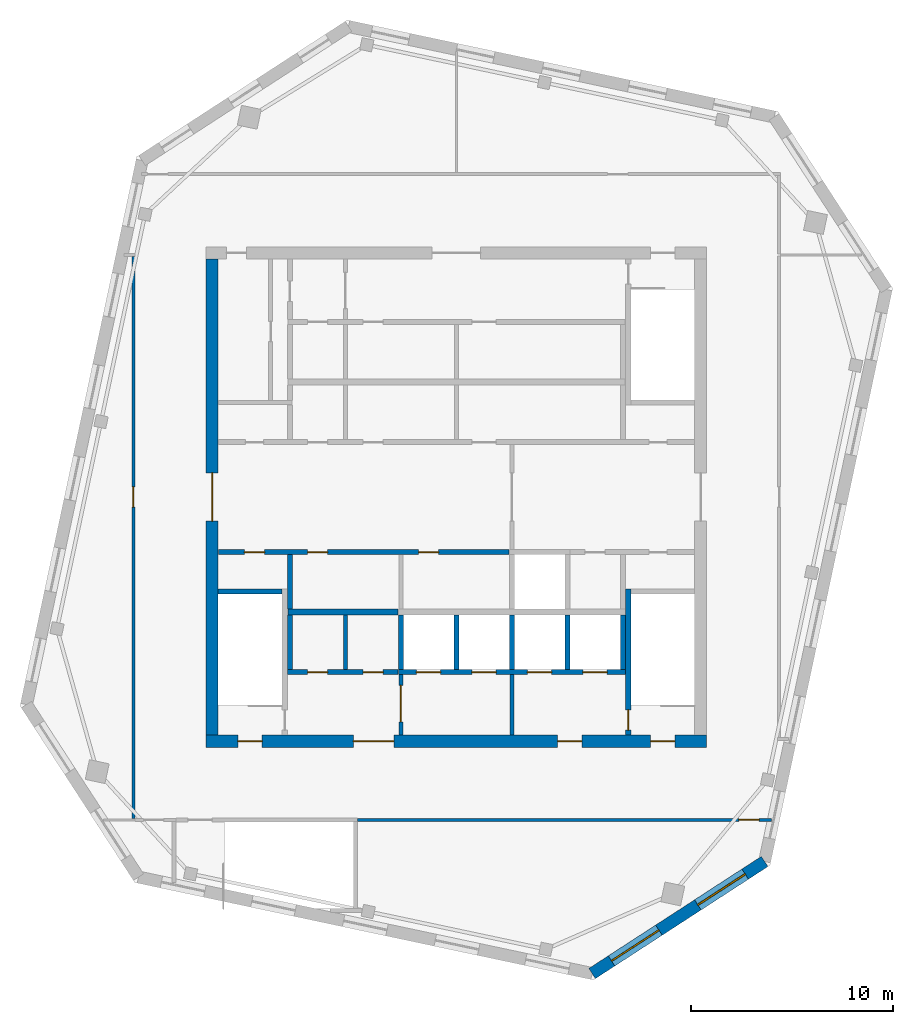
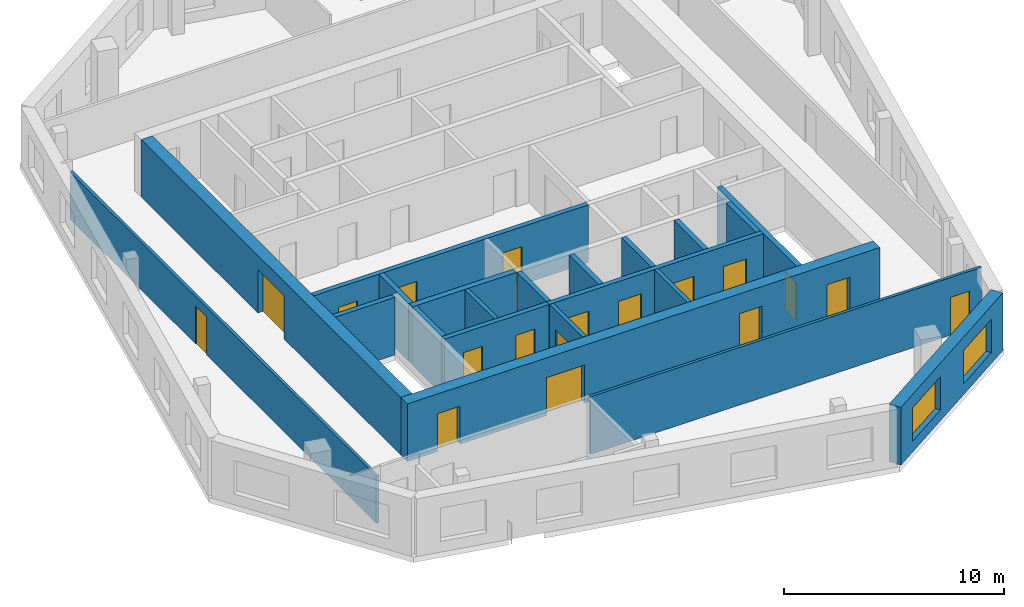
# One storey, part 2 of 6: 21 walls, 18 doors, 2 windows, 20 openings.
"""IFC4 building model written with IfcOpenShell, lengths in metres."""

from ifc_helpers import new_model, si_unit, direction, frame, frame_2d, origin, place, context, subcontext, project, spatial, rectangle, extrude, material, layer, layer_set, type_object, element, fill, save


model = new_model("IFC4")

# Units and contexts
model_context = context("Model", 3, precision=1e-05, world=origin(), true_north=direction((0.0, 1.0)))
body_context = subcontext(model_context, "Body", "Model", "MODEL_VIEW")
ifc_project = project(units=[si_unit("LENGTHUNIT", "METRE"), si_unit("AREAUNIT", "SQUARE_METRE"), si_unit("VOLUMEUNIT", "CUBIC_METRE"), si_unit("PLANEANGLEUNIT", "RADIAN"), si_unit("MASSUNIT", "GRAM", prefix="KILO")], contexts=[model_context])

# Site, building, storey
site_placement = place(None, origin())
site = spatial("IfcSite", under=ifc_project, at=site_placement, CompositionType="ELEMENT")
building_placement = place(site_placement, origin())
building = spatial("IfcBuilding", under=site, at=building_placement, Name="Dilmun Exchange Tower", CompositionType="ELEMENT")
storey_placement = place(building_placement, frame((0.0, 0.0, 373.10009765625)))
storey = spatial("IfcBuildingStorey", under=building, at=storey_placement, Name="Crown L87", CompositionType="ELEMENT", Elevation=373.10009765625)

# Wall, opening, door
ifc_material_1 = material(Name="Concrete C40/50", Category="concrete")
ifc_layer_1 = layer(ifc_material_1, 0.199951171875)
ifc_layer_set_1 = layer_set([ifc_layer_1], Name="Concrete C40/50")
wall_type_1 = type_object("IfcWallType", Name="Core partition wall 200", PredefinedType="PARTITIONING", material=ifc_layer_set_1)
wall_1_placement = place(storey_placement, frame((-2.75, -11.794921875, 0.0), z_axis=(0.0, 0.0, 1.0), x_axis=(0.0, 1.0, 0.0)))
wall_1 = element("IfcWall", 1, at=wall_1_placement, inside=storey, type_object=wall_type_1, Name="Crown L87 core partition wall 01", PredefinedType="PARTITIONING", context=body_context, shape_type="SweptSolid", body=[
    extrude(rectangle(XDim=2.989990234375, YDim=0.199951171875, at=frame_2d((1.4951171875, 0.0))), origin(), (0.0, 0.0, 1.0), 3.199951171875),
])
opening_1_placement = place(wall_1_placement, frame((0.657470703125, 0.0, 0.0)))
opening_1 = element("IfcOpeningElement", 2, at=opening_1_placement, cuts=wall_1, Name="Opening CD5", PredefinedType="OPENING", context=body_context, shape_type="SweptSolid", body=[
    extrude(rectangle(XDim=1.800048828125, YDim=2.10009765625, at=frame_2d((0.89990234375, 1.050048828125))), frame((0.0, 0.10986328125, 0.0), z_axis=(0.0, -1.0, 0.0), x_axis=(1.0, 0.0, 0.0)), (0.0, 0.0, 1.0), 0.219970703125),
])
ifc_material_2 = material(Name="Fire-rated steel door set", Category="steel")
door_type_1 = type_object("IfcDoorType", Name="Stair exit door 1800x2100", OperationType="SINGLE_SWING_LEFT", PredefinedType="DOOR", material=ifc_material_2)
door_1_placement = place(opening_1_placement, origin())
door_1 = element("IfcDoor", 3, at=door_1_placement, inside=storey, type_object=door_type_1, Name="Crown L87 door Service lobby east", OperationType="SINGLE_SWING_LEFT", OverallHeight=2.10009765625, OverallWidth=1.800048828125, PredefinedType="DOOR", context=body_context, shape_type="SweptSolid", body=[
    extrude(rectangle(XDim=1.800048828125, YDim=2.10009765625, at=frame_2d((0.89990234375, 1.050048828125))), frame((0.0, 0.02490234375, 0.0), z_axis=(0.0, -1.0, 0.0), x_axis=(1.0, 0.0, 0.0)), (0.0, 0.0, 1.0), 0.050048828125),
])
fill(opening_1, door_1)

# Walls
wall_2_placement = place(storey_placement, frame((2.75, -11.794921875, 0.0), z_axis=(0.0, 0.0, 1.0), x_axis=(0.0, 1.0, 0.0)))
element("IfcWall", 4, at=wall_2_placement, inside=storey, type_object=wall_type_1, Name="Crown L87 core partition wall 02", PredefinedType="PARTITIONING", context=body_context, shape_type="SweptSolid", body=[
    extrude(rectangle(XDim=2.989990234375, YDim=0.199951171875, at=frame_2d((1.4951171875, 0.0))), origin(), (0.0, 0.0, 1.0), 3.199951171875),
])
wall_3_placement = place(storey_placement, frame((-5.5, -8.544921875, 0.0), z_axis=(0.0, 0.0, 1.0), x_axis=(0.0, 1.0, 0.0)))
element("IfcWall", 5, at=wall_3_placement, inside=storey, type_object=wall_type_1, Name="Crown L87 core partition wall 05", PredefinedType="PARTITIONING", context=body_context, shape_type="SweptSolid", body=[
    extrude(rectangle(XDim=2.68994140625, YDim=0.199951171875, at=frame_2d((1.344970703125, 0.0))), origin(), (0.0, 0.0, 1.0), 3.199951171875),
])

# Wall, openings, doors
ifc_layer_2 = layer(ifc_material_1, 0.25)
ifc_layer_set_2 = layer_set([ifc_layer_2], Name="Concrete C40/50")
wall_type_2 = type_object("IfcWallType", Name="Core partition wall 250", PredefinedType="PARTITIONING", material=ifc_layer_set_2)
wall_4_placement = place(storey_placement, frame((-8.3701171875, -8.675048828125, 0.0), z_axis=(0.0, 0.0, 1.0), x_axis=(1.0, 0.0, 0.0)))
wall_4 = element("IfcWall", 6, at=wall_4_placement, inside=storey, type_object=wall_type_2, Name="Crown L87 core partition wall 03", PredefinedType="PARTITIONING", context=body_context, shape_type="SweptSolid", body=[
    extrude(rectangle(XDim=5.490234375, YDim=0.25, at=frame_2d((2.7451171875, 0.0))), origin(), (0.0, 0.0, 1.0), 3.199951171875),
])
opening_2_placement = place(wall_4_placement, frame((0.9951171875, 0.0, 0.0)))
opening_2 = element("IfcOpeningElement", 7, at=opening_2_placement, cuts=wall_4, Name="Opening CD4", PredefinedType="OPENING", context=body_context, shape_type="SweptSolid", body=[
    extrude(rectangle(XDim=1.0, YDim=2.10009765625, at=frame_2d((0.5, 1.050048828125))), frame((0.0, 0.135009765625, 0.0), z_axis=(0.0, -1.0, 0.0), x_axis=(1.0, 0.0, 0.0)), (0.0, 0.0, 1.0), 0.27001953125),
])
opening_3_placement = place(wall_4_placement, frame((3.7451171875, 0.0, 0.0)))
opening_3 = element("IfcOpeningElement", 8, at=opening_3_placement, cuts=wall_4, Name="Opening CD4", PredefinedType="OPENING", context=body_context, shape_type="SweptSolid", body=[
    extrude(rectangle(XDim=1.0, YDim=2.10009765625, at=frame_2d((0.5, 1.050048828125))), frame((0.0, 0.135009765625, 0.0), z_axis=(0.0, -1.0, 0.0), x_axis=(1.0, 0.0, 0.0)), (0.0, 0.0, 1.0), 0.27001953125),
])
door_type_2 = type_object("IfcDoorType", Name="Core room door 1000x2100", OperationType="SINGLE_SWING_LEFT", PredefinedType="DOOR", material=ifc_material_2)
door_2_placement = place(opening_2_placement, origin())
door_2 = element("IfcDoor", 9, at=door_2_placement, inside=storey, type_object=door_type_2, Name="Crown L87 door Male WC", OperationType="SINGLE_SWING_RIGHT", OverallHeight=2.10009765625, OverallWidth=1.0, PredefinedType="DOOR", context=body_context, shape_type="SweptSolid", body=[
    extrude(rectangle(XDim=1.0, YDim=2.10009765625, at=frame_2d((0.5, 1.050048828125))), frame((0.0, 0.02490234375, 0.0), z_axis=(0.0, -1.0, 0.0), x_axis=(1.0, 0.0, 0.0)), (0.0, 0.0, 1.0), 0.050048828125),
])
fill(opening_2, door_2)
door_3_placement = place(opening_3_placement, origin())
door_3 = element("IfcDoor", 10, at=door_3_placement, inside=storey, type_object=door_type_2, Name="Crown L87 door Female WC", OperationType="SINGLE_SWING_RIGHT", OverallHeight=2.10009765625, OverallWidth=1.0, PredefinedType="DOOR", context=body_context, shape_type="SweptSolid", body=[
    extrude(rectangle(XDim=1.0, YDim=2.10009765625, at=frame_2d((0.5, 1.050048828125))), frame((0.0, 0.02490234375, 0.0), z_axis=(0.0, -1.0, 0.0), x_axis=(1.0, 0.0, 0.0)), (0.0, 0.0, 1.0), 0.050048828125),
])
fill(opening_3, door_3)

# Walls
for number, where, z_axis, x_axis, name in (
    (11, (-8.25, -8.544921875, 0.0), (0.0, 0.0, 1.0), (0.0, 1.0, 0.0), "Crown L87 core partition wall 04"),
    (12, (-8.25, -5.544921875, 0.0), (0.0, 0.0, 1.0), (0.0, 1.0, 0.0), "Crown L87 core partition wall 07"),
):
    element("IfcWall", number, at=place(storey_placement, frame(where, z_axis=z_axis, x_axis=x_axis)), inside=storey, type_object=wall_type_2, Name=name, PredefinedType="PARTITIONING", context=body_context, shape_type="SweptSolid", body=[
        extrude(rectangle(XDim=2.68994140625, YDim=0.25, at=frame_2d((1.344970703125, 0.0))), origin(), (0.0, 0.0, 1.0), 3.199951171875),
    ])

# Wall, openings, doors
wall_5_placement = place(storey_placement, frame((-11.794921875, -2.72509765625, 0.0), z_axis=(0.0, 0.0, 1.0), x_axis=(1.0, 0.0, 0.0)))
wall_5 = element("IfcWall", 13, at=wall_5_placement, inside=storey, type_object=wall_type_2, Name="Crown L87 core partition wall 10", PredefinedType="PARTITIONING", context=body_context, shape_type="SweptSolid", body=[
    extrude(rectangle(XDim=14.4150390625, YDim=0.25, at=frame_2d((7.20751953125, 0.0))), origin(), (0.0, 0.0, 1.0), 3.199951171875),
])
opening_4_placement = place(wall_5_placement, frame((1.294921875, 0.0, 0.0)))
opening_4 = element("IfcOpeningElement", 14, at=opening_4_placement, cuts=wall_5, Name="Opening CD4", PredefinedType="OPENING", context=body_context, shape_type="SweptSolid", body=[
    extrude(rectangle(XDim=1.0, YDim=2.10009765625, at=frame_2d((0.5, 1.050048828125))), frame((0.0, 0.135009765625, 0.0), z_axis=(0.0, -1.0, 0.0), x_axis=(1.0, 0.0, 0.0)), (0.0, 0.0, 1.0), 0.27001953125),
])
opening_5_placement = place(wall_5_placement, frame((4.419921875, 0.0, 0.0)))
opening_5 = element("IfcOpeningElement", 15, at=opening_5_placement, cuts=wall_5, Name="Opening CD4", PredefinedType="OPENING", context=body_context, shape_type="SweptSolid", body=[
    extrude(rectangle(XDim=1.0, YDim=2.10009765625, at=frame_2d((0.5, 1.050048828125))), frame((0.0, 0.135009765625, 0.0), z_axis=(0.0, -1.0, 0.0), x_axis=(1.0, 0.0, 0.0)), (0.0, 0.0, 1.0), 0.27001953125),
])
opening_6_placement = place(wall_5_placement, frame((9.919921875, 0.0, 0.0)))
opening_6 = element("IfcOpeningElement", 16, at=opening_6_placement, cuts=wall_5, Name="Opening CD4", PredefinedType="OPENING", context=body_context, shape_type="SweptSolid", body=[
    extrude(rectangle(XDim=1.0, YDim=2.10009765625, at=frame_2d((0.5, 1.050048828125))), frame((0.0, 0.135009765625, 0.0), z_axis=(0.0, -1.0, 0.0), x_axis=(1.0, 0.0, 0.0)), (0.0, 0.0, 1.0), 0.27001953125),
])
door_4_placement = place(opening_4_placement, origin())
door_4 = element("IfcDoor", 17, at=door_4_placement, inside=storey, type_object=door_type_2, Name="Crown L87 door Accessible WC", OperationType="SINGLE_SWING_RIGHT", OverallHeight=2.10009765625, OverallWidth=1.0, PredefinedType="DOOR", context=body_context, shape_type="SweptSolid", body=[
    extrude(rectangle(XDim=1.0, YDim=2.10009765625, at=frame_2d((0.5, 1.050048828125))), frame((0.0, 0.02490234375, 0.0), z_axis=(0.0, -1.0, 0.0), x_axis=(1.0, 0.0, 0.0)), (0.0, 0.0, 1.0), 0.050048828125),
])
fill(opening_4, door_4)
door_5_placement = place(opening_5_placement, origin())
door_5 = element("IfcDoor", 18, at=door_5_placement, inside=storey, type_object=door_type_2, Name="Crown L87 door Tenant services room", OperationType="SINGLE_SWING_RIGHT", OverallHeight=2.10009765625, OverallWidth=1.0, PredefinedType="DOOR", context=body_context, shape_type="SweptSolid", body=[
    extrude(rectangle(XDim=1.0, YDim=2.10009765625, at=frame_2d((0.5, 1.050048828125))), frame((0.0, 0.02490234375, 0.0), z_axis=(0.0, -1.0, 0.0), x_axis=(1.0, 0.0, 0.0)), (0.0, 0.0, 1.0), 0.050048828125),
])
fill(opening_5, door_5)
door_6_placement = place(opening_6_placement, origin())
door_6 = element("IfcDoor", 19, at=door_6_placement, inside=storey, type_object=door_type_2, Name="Crown L87 door Archive store", OperationType="SINGLE_SWING_RIGHT", OverallHeight=2.10009765625, OverallWidth=1.0, PredefinedType="DOOR", context=body_context, shape_type="SweptSolid", body=[
    extrude(rectangle(XDim=1.0, YDim=2.10009765625, at=frame_2d((0.5, 1.050048828125))), frame((0.0, 0.02490234375, 0.0), z_axis=(0.0, -1.0, 0.0), x_axis=(1.0, 0.0, 0.0)), (0.0, 0.0, 1.0), 0.050048828125),
])
fill(opening_6, door_6)

# Wall
ifc_layer_3 = layer(ifc_material_1, 0.300048828125)
ifc_layer_set_3 = layer_set([ifc_layer_3], Name="Concrete C40/50")
wall_type_3 = type_object("IfcWallType", Name="Core partition wall 300", PredefinedType="PARTITIONING", material=ifc_layer_set_3)
wall_6_placement = place(storey_placement, frame((-8.35009765625, -5.699951171875, 0.0), z_axis=(0.0, 0.0, 1.0), x_axis=(1.0, 0.0, 0.0)))
element("IfcWall", 20, at=wall_6_placement, inside=storey, type_object=wall_type_3, Name="Crown L87 core partition wall 06", PredefinedType="PARTITIONING", context=body_context, shape_type="SweptSolid", body=[
    extrude(rectangle(XDim=5.47021484375, YDim=0.300048828125, at=frame_2d((2.735107421875, 0.0))), origin(), (0.0, 0.0, 1.0), 3.199951171875),
])

# Wall, openings, doors
ifc_material_3 = material(Name="Concrete C50/60", Category="concrete")
ifc_layer_4 = layer(ifc_material_3, 0.60009765625)
ifc_layer_set_4 = layer_set([ifc_layer_4], Name="Concrete C50/60")
wall_type_4 = type_object("IfcWallType", Name="Core shear wall 600 Concrete C50/60", PredefinedType="SHEAR", material=ifc_layer_set_4)
wall_7_placement = place(storey_placement, frame((-12.39990234375, -12.10009765625, 0.0), z_axis=(0.0, 0.0, 1.0), x_axis=(1.0, 0.0, 0.0)))
wall_7 = element("IfcWall", 21, at=wall_7_placement, inside=storey, type_object=wall_type_4, Name="Crown L87 core shear wall S", PredefinedType="SHEAR", context=body_context, shape_type="SweptSolid", body=[
    extrude(rectangle(XDim=24.7998046875, YDim=0.60009765625, at=frame_2d((12.39990234375, 0.0))), origin(), (0.0, 0.0, 1.0), 3.199951171875),
])
opening_7_placement = place(wall_7_placement, frame((7.300048828125, 0.0, 0.0)))
opening_7 = element("IfcOpeningElement", 22, at=opening_7_placement, cuts=wall_7, Name="Opening CD2", PredefinedType="OPENING", context=body_context, shape_type="SweptSolid", body=[
    extrude(rectangle(XDim=2.0, YDim=2.10009765625, at=frame_2d((1.0, 1.050048828125))), frame((0.0, 0.31005859375, 0.0), z_axis=(0.0, -1.0, 0.0), x_axis=(1.0, 0.0, 0.0)), (0.0, 0.0, 1.0), 0.6201171875),
])
opening_8_placement = place(wall_7_placement, frame((17.425048828125, 0.0, 0.0)))
opening_8 = element("IfcOpeningElement", 23, at=opening_8_placement, cuts=wall_7, Name="Opening CD3", PredefinedType="OPENING", context=body_context, shape_type="SweptSolid", body=[
    extrude(rectangle(XDim=1.199951171875, YDim=2.10009765625, at=frame_2d((0.60009765625, 1.050048828125))), frame((0.0, 0.31005859375, 0.0), z_axis=(0.0, -1.0, 0.0), x_axis=(1.0, 0.0, 0.0)), (0.0, 0.0, 1.0), 0.6201171875),
])
opening_9_placement = place(wall_7_placement, frame((1.574951171875, 0.0, 0.0)))
opening_9 = element("IfcOpeningElement", 24, at=opening_9_placement, cuts=wall_7, Name="Opening CD3", PredefinedType="OPENING", context=body_context, shape_type="SweptSolid", body=[
    extrude(rectangle(XDim=1.199951171875, YDim=2.10009765625, at=frame_2d((0.60009765625, 1.050048828125))), frame((0.0, 0.31005859375, 0.0), z_axis=(0.0, -1.0, 0.0), x_axis=(1.0, 0.0, 0.0)), (0.0, 0.0, 1.0), 0.6201171875),
])
opening_10_placement = place(wall_7_placement, frame((22.02490234375, 0.0, 0.0)))
opening_10 = element("IfcOpeningElement", 25, at=opening_10_placement, cuts=wall_7, Name="Opening CD3", PredefinedType="OPENING", context=body_context, shape_type="SweptSolid", body=[
    extrude(rectangle(XDim=1.199951171875, YDim=2.10009765625, at=frame_2d((0.60009765625, 1.050048828125))), frame((0.0, 0.31005859375, 0.0), z_axis=(0.0, -1.0, 0.0), x_axis=(1.0, 0.0, 0.0)), (0.0, 0.0, 1.0), 0.6201171875),
])
door_type_3 = type_object("IfcDoorType", Name="Core service door 2000x2100", OperationType="DOUBLE_DOOR_DOUBLE_SWING", PredefinedType="DOOR", material=ifc_material_2)
door_7_placement = place(opening_7_placement, origin())
door_7 = element("IfcDoor", 26, at=door_7_placement, inside=storey, type_object=door_type_3, Name="Crown L87 door South service lobby", OperationType="SINGLE_SWING_LEFT", OverallHeight=2.10009765625, OverallWidth=2.0, PredefinedType="DOOR", context=body_context, shape_type="SweptSolid", body=[
    extrude(rectangle(XDim=2.0, YDim=2.10009765625, at=frame_2d((1.0, 1.050048828125))), frame((0.0, 0.02490234375, 0.0), z_axis=(0.0, -1.0, 0.0), x_axis=(1.0, 0.0, 0.0)), (0.0, 0.0, 1.0), 0.050048828125),
])
fill(opening_7, door_7)
door_type_4 = type_object("IfcDoorType", Name="Stair exit door 1200x2100", OperationType="SINGLE_SWING_LEFT", PredefinedType="DOOR", material=ifc_material_2)
door_8_placement = place(opening_8_placement, origin())
door_8 = element("IfcDoor", 27, at=door_8_placement, inside=storey, type_object=door_type_4, Name="Crown L87 door Fire-fighting lobby", OperationType="SINGLE_SWING_LEFT", OverallHeight=2.10009765625, OverallWidth=1.199951171875, PredefinedType="DOOR", context=body_context, shape_type="SweptSolid", body=[
    extrude(rectangle(XDim=1.199951171875, YDim=2.10009765625, at=frame_2d((0.60009765625, 1.050048828125))), frame((0.0, 0.02490234375, 0.0), z_axis=(0.0, -1.0, 0.0), x_axis=(1.0, 0.0, 0.0)), (0.0, 0.0, 1.0), 0.050048828125),
])
fill(opening_8, door_8)
door_9_placement = place(opening_9_placement, origin())
door_9 = element("IfcDoor", 28, at=door_9_placement, inside=storey, type_object=door_type_4, Name="Crown L87 door Stair ST2", OperationType="SINGLE_SWING_LEFT", OverallHeight=2.10009765625, OverallWidth=1.199951171875, PredefinedType="DOOR", context=body_context, shape_type="SweptSolid", body=[
    extrude(rectangle(XDim=1.199951171875, YDim=2.10009765625, at=frame_2d((0.60009765625, 1.050048828125))), frame((0.0, 0.02490234375, 0.0), z_axis=(0.0, -1.0, 0.0), x_axis=(1.0, 0.0, 0.0)), (0.0, 0.0, 1.0), 0.050048828125),
])
fill(opening_9, door_9)
door_10_placement = place(opening_10_placement, origin())
door_10 = element("IfcDoor", 29, at=door_10_placement, inside=storey, type_object=door_type_4, Name="Crown L87 door Stair ST3", OperationType="SINGLE_SWING_LEFT", OverallHeight=2.10009765625, OverallWidth=1.199951171875, PredefinedType="DOOR", context=body_context, shape_type="SweptSolid", body=[
    extrude(rectangle(XDim=1.199951171875, YDim=2.10009765625, at=frame_2d((0.60009765625, 1.050048828125))), frame((0.0, 0.02490234375, 0.0), z_axis=(0.0, -1.0, 0.0), x_axis=(1.0, 0.0, 0.0)), (0.0, 0.0, 1.0), 0.050048828125),
])
fill(opening_10, door_10)

# Wall, opening, door
wall_8_placement = place(storey_placement, frame((-12.10009765625, -11.800048828125, 0.0), z_axis=(0.0, 0.0, 1.0), x_axis=(0.0, 1.0, 0.0)))
wall_8 = element("IfcWall", 30, at=wall_8_placement, inside=storey, type_object=wall_type_4, Name="Crown L87 core shear wall W", PredefinedType="SHEAR", context=body_context, shape_type="SweptSolid", body=[
    extrude(rectangle(XDim=23.60009765625, YDim=0.60009765625, at=frame_2d((11.800048828125, 0.0))), origin(), (0.0, 0.0, 1.0), 3.199951171875),
])
opening_11_placement = place(wall_8_placement, frame((10.60009765625, 0.0, 0.0)))
opening_11 = element("IfcOpeningElement", 31, at=opening_11_placement, cuts=wall_8, Name="Opening CD1", PredefinedType="OPENING", context=body_context, shape_type="SweptSolid", body=[
    extrude(rectangle(XDim=2.39990234375, YDim=2.39990234375, at=frame_2d((1.199951171875, 1.199951171875))), frame((0.0, 0.31005859375, 0.0), z_axis=(0.0, -1.0, 0.0), x_axis=(1.0, 0.0, 0.0)), (0.0, 0.0, 1.0), 0.6201171875),
])
door_type_5 = type_object("IfcDoorType", Name="Core lobby door 2400x2400", OperationType="DOUBLE_DOOR_DOUBLE_SWING", PredefinedType="DOOR", material=ifc_material_2)
door_11_placement = place(opening_11_placement, origin())
door_11 = element("IfcDoor", 32, at=door_11_placement, inside=storey, type_object=door_type_5, Name="Crown L87 door Central lift lobby", OperationType="SINGLE_SWING_LEFT", OverallHeight=2.39990234375, OverallWidth=2.39990234375, PredefinedType="DOOR", context=body_context, shape_type="SweptSolid", body=[
    extrude(rectangle(XDim=2.39990234375, YDim=2.39990234375, at=frame_2d((1.199951171875, 1.199951171875))), frame((0.0, 0.02490234375, 0.0), z_axis=(0.0, -1.0, 0.0), x_axis=(1.0, 0.0, 0.0)), (0.0, 0.0, 1.0), 0.050048828125),
])
fill(opening_11, door_11)

ifc_material_4 = material(Name="Fire partition EI 60 150 gypsum")
ifc_layer_5 = layer(ifc_material_4, 0.14990234375)
ifc_layer_set_5 = layer_set([ifc_layer_5], Name="Fire partition EI 60 150 gypsum")
wall_type_5 = type_object("IfcWallType", Name="Fire partition EI 60 150 gypsum", PredefinedType="PARTITIONING", material=ifc_layer_set_5)
wall_9_placement = place(storey_placement, frame((-4.89990234375, -16.0, 0.0), z_axis=(0.0, 0.0, 1.0), x_axis=(1.0, 0.0, 0.0)))
wall_9 = element("IfcWall", 33, at=wall_9_placement, inside=storey, type_object=wall_type_5, Name="Crown L87 partition", PredefinedType="PARTITIONING", context=body_context, shape_type="SweptSolid", body=[
    extrude(rectangle(XDim=20.514404296875, YDim=0.14990234375, at=frame_2d((10.25732421875, 0.0))), origin(), (0.0, 0.0, 1.0), 3.199951171875),
])
opening_12_placement = place(wall_9_placement, frame((18.89990234375, 0.0, 0.0)))
opening_12 = element("IfcOpeningElement", 34, at=opening_12_placement, cuts=wall_9, Name="Opening CrownL87-D005", PredefinedType="OPENING", context=body_context, shape_type="SweptSolid", body=[
    extrude(rectangle(XDim=1.0, YDim=2.10009765625, at=frame_2d((0.5, 1.050048828125))), frame((0.0, 0.0849609375, 0.0), z_axis=(0.0, -1.0, 0.0), x_axis=(1.0, 0.0, 0.0)), (0.0, 0.0, 1.0), 0.169921875),
])
ifc_material_5 = material(Name="Fire door FD60 1000 x 2100")
door_type_6 = type_object("IfcDoorType", Name="Fire door FD60 1000 x 2100", OperationType="SINGLE_SWING_LEFT", PredefinedType="DOOR", material=ifc_material_5)
door_12_placement = place(opening_12_placement, origin())
door_12 = element("IfcDoor", 35, at=door_12_placement, inside=storey, type_object=door_type_6, Name="Crown L87 door CrownL87-D005", OperationType="SINGLE_SWING_LEFT", OverallHeight=2.10009765625, OverallWidth=1.0, PredefinedType="DOOR", context=body_context, shape_type="SweptSolid", body=[
    extrude(rectangle(XDim=1.0, YDim=2.10009765625, at=frame_2d((0.5, 1.050048828125))), frame((0.0, 0.02490234375, 0.0), z_axis=(0.0, -1.0, 0.0), x_axis=(1.0, 0.0, 0.0)), (0.0, 0.0, 1.0), 0.050048828125),
])
fill(opening_12, door_12)

wall_10_placement = place(storey_placement, frame((-16.0, -15.925048828125, 0.0), z_axis=(0.0, 0.0, 1.0), x_axis=(0.0, 1.0, 0.0)))
wall_10 = element("IfcWall", 36, at=wall_10_placement, inside=storey, type_object=wall_type_5, Name="Crown L87 partition", PredefinedType="PARTITIONING", context=body_context, shape_type="SweptSolid", body=[
    extrude(rectangle(XDim=27.85009765625, YDim=0.14990234375, at=frame_2d((13.925048828125, 0.0))), origin(), (0.0, 0.0, 1.0), 2.6298828125),
])
opening_13_placement = place(wall_10_placement, frame((15.425048828125, 0.0, 0.0)))
opening_13 = element("IfcOpeningElement", 37, at=opening_13_placement, cuts=wall_10, Name="Opening CrownL87-D006", PredefinedType="OPENING", context=body_context, shape_type="SweptSolid", body=[
    extrude(rectangle(XDim=1.0, YDim=2.10009765625, at=frame_2d((0.5, 1.050048828125))), frame((0.0, 0.0849609375, 0.0), z_axis=(0.0, -1.0, 0.0), x_axis=(1.0, 0.0, 0.0)), (0.0, 0.0, 1.0), 0.169921875),
])
door_13_placement = place(opening_13_placement, origin())
door_13 = element("IfcDoor", 38, at=door_13_placement, inside=storey, type_object=door_type_6, Name="Crown L87 door CrownL87-D006", OperationType="SINGLE_SWING_RIGHT", OverallHeight=2.10009765625, OverallWidth=1.0, PredefinedType="DOOR", context=body_context, shape_type="SweptSolid", body=[
    extrude(rectangle(XDim=1.0, YDim=2.10009765625, at=frame_2d((0.5, 1.050048828125))), frame((0.0, 0.02490234375, 0.0), z_axis=(0.0, -1.0, 0.0), x_axis=(1.0, 0.0, 0.0)), (0.0, 0.0, 1.0), 0.050048828125),
])
fill(opening_13, door_13)

# Wall, openings, doors
ifc_layer_6 = layer(ifc_material_1, 0.25)
ifc_layer_set_6 = layer_set([ifc_layer_6], Name="Concrete C40/50")
wall_type_6 = type_object("IfcWallType", Name="Lift shaft wall 250", PredefinedType="SOLIDWALL", material=ifc_layer_set_6)
wall_11_placement = place(storey_placement, frame((-2.875, -8.675048828125, 0.0), z_axis=(0.0, 0.0, 1.0), x_axis=(1.0, 0.0, 0.0)))
wall_11 = element("IfcWall", 39, at=wall_11_placement, inside=storey, type_object=wall_type_6, Name="Crown L87 lift shaft front wall S2", PredefinedType="SOLIDWALL", context=body_context, shape_type="SweptSolid", body=[
    extrude(rectangle(XDim=11.25, YDim=0.25, at=frame_2d((5.625, 0.0))), origin(), (0.0, 0.0, 1.0), 3.199951171875),
])
opening_14_placement = place(wall_11_placement, frame((0.89990234375, 0.0, 0.0)))
opening_14 = element("IfcOpeningElement", 40, at=opening_14_placement, cuts=wall_11, Name="Opening LD", PredefinedType="OPENING", context=body_context, shape_type="SweptSolid", body=[
    extrude(rectangle(XDim=1.199951171875, YDim=2.10009765625, at=frame_2d((0.60009765625, 1.050048828125))), frame((0.0, 0.135009765625, 0.0), z_axis=(0.0, -1.0, 0.0), x_axis=(1.0, 0.0, 0.0)), (0.0, 0.0, 1.0), 0.27001953125),
])
opening_15_placement = place(wall_11_placement, frame((3.64990234375, 0.0, 0.0)))
opening_15 = element("IfcOpeningElement", 41, at=opening_15_placement, cuts=wall_11, Name="Opening LD", PredefinedType="OPENING", context=body_context, shape_type="SweptSolid", body=[
    extrude(rectangle(XDim=1.199951171875, YDim=2.10009765625, at=frame_2d((0.60009765625, 1.050048828125))), frame((0.0, 0.135009765625, 0.0), z_axis=(0.0, -1.0, 0.0), x_axis=(1.0, 0.0, 0.0)), (0.0, 0.0, 1.0), 0.27001953125),
])
opening_16_placement = place(wall_11_placement, frame((6.39990234375, 0.0, 0.0)))
opening_16 = element("IfcOpeningElement", 42, at=opening_16_placement, cuts=wall_11, Name="Opening LD", PredefinedType="OPENING", context=body_context, shape_type="SweptSolid", body=[
    extrude(rectangle(XDim=1.199951171875, YDim=2.10009765625, at=frame_2d((0.60009765625, 1.050048828125))), frame((0.0, 0.135009765625, 0.0), z_axis=(0.0, -1.0, 0.0), x_axis=(1.0, 0.0, 0.0)), (0.0, 0.0, 1.0), 0.27001953125),
])
opening_17_placement = place(wall_11_placement, frame((9.14990234375, 0.0, 0.0)))
opening_17 = element("IfcOpeningElement", 43, at=opening_17_placement, cuts=wall_11, Name="Opening LD", PredefinedType="OPENING", context=body_context, shape_type="SweptSolid", body=[
    extrude(rectangle(XDim=1.199951171875, YDim=2.10009765625, at=frame_2d((0.60009765625, 1.050048828125))), frame((0.0, 0.135009765625, 0.0), z_axis=(0.0, -1.0, 0.0), x_axis=(1.0, 0.0, 0.0)), (0.0, 0.0, 1.0), 0.27001953125),
])
door_type_7 = type_object("IfcDoorType", Name="Lift landing door 1200x2100", OperationType="DOUBLE_DOOR_SLIDING", PredefinedType="DOOR", material=ifc_material_2)
door_14_placement = place(opening_14_placement, origin())
door_14 = element("IfcDoor", 44, at=door_14_placement, inside=storey, type_object=door_type_7, Name="Crown L87 landing door SV1", OperationType="DOUBLE_DOOR_SLIDING", OverallHeight=2.10009765625, OverallWidth=1.199951171875, PredefinedType="DOOR", context=body_context, shape_type="SweptSolid", body=[
    extrude(rectangle(XDim=1.199951171875, YDim=2.10009765625, at=frame_2d((0.60009765625, 1.050048828125))), frame((0.0, 0.02490234375, 0.0), z_axis=(0.0, -1.0, 0.0), x_axis=(1.0, 0.0, 0.0)), (0.0, 0.0, 1.0), 0.050048828125),
])
fill(opening_14, door_14)
door_15_placement = place(opening_15_placement, origin())
door_15 = element("IfcDoor", 45, at=door_15_placement, inside=storey, type_object=door_type_7, Name="Crown L87 landing door SV2", OperationType="DOUBLE_DOOR_SLIDING", OverallHeight=2.10009765625, OverallWidth=1.199951171875, PredefinedType="DOOR", context=body_context, shape_type="SweptSolid", body=[
    extrude(rectangle(XDim=1.199951171875, YDim=2.10009765625, at=frame_2d((0.60009765625, 1.050048828125))), frame((0.0, 0.02490234375, 0.0), z_axis=(0.0, -1.0, 0.0), x_axis=(1.0, 0.0, 0.0)), (0.0, 0.0, 1.0), 0.050048828125),
])
fill(opening_15, door_15)
door_16_placement = place(opening_16_placement, origin())
door_16 = element("IfcDoor", 46, at=door_16_placement, inside=storey, type_object=door_type_7, Name="Crown L87 landing door FF1", OperationType="DOUBLE_DOOR_SLIDING", OverallHeight=2.10009765625, OverallWidth=1.199951171875, PredefinedType="DOOR", context=body_context, shape_type="SweptSolid", body=[
    extrude(rectangle(XDim=1.199951171875, YDim=2.10009765625, at=frame_2d((0.60009765625, 1.050048828125))), frame((0.0, 0.02490234375, 0.0), z_axis=(0.0, -1.0, 0.0), x_axis=(1.0, 0.0, 0.0)), (0.0, 0.0, 1.0), 0.050048828125),
])
fill(opening_16, door_16)
door_17_placement = place(opening_17_placement, origin())
door_17 = element("IfcDoor", 47, at=door_17_placement, inside=storey, type_object=door_type_7, Name="Crown L87 landing door FF2", OperationType="DOUBLE_DOOR_SLIDING", OverallHeight=2.10009765625, OverallWidth=1.199951171875, PredefinedType="DOOR", context=body_context, shape_type="SweptSolid", body=[
    extrude(rectangle(XDim=1.199951171875, YDim=2.10009765625, at=frame_2d((0.60009765625, 1.050048828125))), frame((0.0, 0.02490234375, 0.0), z_axis=(0.0, -1.0, 0.0), x_axis=(1.0, 0.0, 0.0)), (0.0, 0.0, 1.0), 0.050048828125),
])
fill(opening_17, door_17)

# Walls
for number, where, z_axis, x_axis, name in (
    (48, (-2.75, -8.550048828125, 0.0), (0.0, 0.0, 1.0), (0.0, 1.0, 0.0), "Crown L87 lift shaft divider S22"),
    (49, (0.0, -8.550048828125, 0.0), (0.0, 0.0, 1.0), (0.0, 1.0, 0.0), "Crown L87 lift shaft divider S23"),
    (50, (2.75, -8.550048828125, 0.0), (0.0, 0.0, 1.0), (0.0, 1.0, 0.0), "Crown L87 lift shaft divider S24"),
    (51, (5.5, -8.550048828125, 0.0), (0.0, 0.0, 1.0), (0.0, 1.0, 0.0), "Crown L87 lift shaft divider S25"),
    (52, (8.25, -8.550048828125, 0.0), (0.0, 0.0, 1.0), (0.0, 1.0, 0.0), "Crown L87 lift shaft divider S26"),
):
    element("IfcWall", number, at=place(storey_placement, frame(where, z_axis=z_axis, x_axis=x_axis)), inside=storey, type_object=wall_type_6, Name=name, PredefinedType="SOLIDWALL", context=body_context, shape_type="SweptSolid", body=[
        extrude(rectangle(XDim=2.699951171875, YDim=0.25, at=frame_2d((1.35009765625, 0.0))), origin(), (0.0, 0.0, 1.0), 3.199951171875),
    ])

# Wall, openings, windows
ifc_material_6 = material(Name="Precast concrete C50/60", Category="concrete")
ifc_layer_7 = layer(ifc_material_6, 0.60009765625)
ifc_layer_set_7 = layer_set([ifc_layer_7], Name="Precast concrete C50/60")
wall_type_7 = type_object("IfcWallType", Name="Precast stone-clad wall 600", PredefinedType="STANDARD", material=ifc_layer_set_7)
wall_12_placement = place(storey_placement, frame((6.728271484375, -23.614990234375, 0.0), z_axis=(0.0, 0.0, 1.0), x_axis=(0.838665675546, 0.544646568575, 0.0)))
wall_12 = element("IfcWall", 53, at=wall_12_placement, inside=storey, type_object=wall_type_7, Name="Facade wall Crown L87-00", PredefinedType="STANDARD", context=body_context, shape_type="SweptSolid", body=[
    extrude(rectangle(XDim=10.195068359375, YDim=0.60009765625, at=frame_2d((5.09765625, 0.0))), origin(), (0.0, 0.0, 1.0), 3.199951171875),
])
opening_18_placement = place(wall_12_placement, frame((1.148681640625, 0.0, 0.60009765625)))
opening_18 = element("IfcOpeningElement", 54, at=opening_18_placement, cuts=wall_12, Name="Opening LV280-185", PredefinedType="OPENING", context=body_context, shape_type="SweptSolid", body=[
    extrude(rectangle(XDim=2.800048828125, YDim=1.85009765625, at=frame_2d((1.39990234375, 0.925048828125))), frame((0.0, 0.31005859375, 0.0), z_axis=(0.0, -1.0, 0.0), x_axis=(1.0, 0.0, 0.0)), (0.0, 0.0, 1.0), 0.6201171875),
])
opening_19_placement = place(wall_12_placement, frame((6.246337890625, 0.0, 0.60009765625)))
opening_19 = element("IfcOpeningElement", 55, at=opening_19_placement, cuts=wall_12, Name="Opening LV280-185", PredefinedType="OPENING", context=body_context, shape_type="SweptSolid", body=[
    extrude(rectangle(XDim=2.800048828125, YDim=1.85009765625, at=frame_2d((1.39990234375, 0.925048828125))), frame((0.0, 0.31005859375, 0.0), z_axis=(0.0, -1.0, 0.0), x_axis=(1.0, 0.0, 0.0)), (0.0, 0.0, 1.0), 0.6201171875),
])
ifc_material_7 = material(Name="Anodised aluminium louvre blades with sand trap", Category="aluminium")
window_type = type_object("IfcWindowType", Name="Plant louvre 2800 x 1850", PartitioningType="SINGLE_PANEL", PredefinedType="USERDEFINED", material=ifc_material_7)
window_1_placement = place(opening_18_placement, origin())
window_1 = element("IfcWindow", 56, at=window_1_placement, inside=storey, type_object=window_type, Name="Plant louvre 1.1", ObjectType="LOUVRE", OverallHeight=1.85009765625, OverallWidth=2.800048828125, PartitioningType="SINGLE_PANEL", PredefinedType="USERDEFINED", context=body_context, shape_type="SweptSolid", body=[
    extrude(rectangle(XDim=2.800048828125, YDim=1.85009765625, at=frame_2d((1.39990234375, 0.925048828125))), frame((0.0, 0.030029296875, 0.0), z_axis=(0.0, -1.0, 0.0), x_axis=(1.0, 0.0, 0.0)), (0.0, 0.0, 1.0), 0.06005859375),
])
fill(opening_18, window_1)
window_2_placement = place(opening_19_placement, origin())
window_2 = element("IfcWindow", 57, at=window_2_placement, inside=storey, type_object=window_type, Name="Plant louvre 1.2", ObjectType="LOUVRE", OverallHeight=1.85009765625, OverallWidth=2.800048828125, PartitioningType="SINGLE_PANEL", PredefinedType="USERDEFINED", context=body_context, shape_type="SweptSolid", body=[
    extrude(rectangle(XDim=2.800048828125, YDim=1.85009765625, at=frame_2d((1.39990234375, 0.925048828125))), frame((0.0, 0.030029296875, 0.0), z_axis=(0.0, -1.0, 0.0), x_axis=(1.0, 0.0, 0.0)), (0.0, 0.0, 1.0), 0.06005859375),
])
fill(opening_19, window_2)

# Wall
ifc_layer_8 = layer(ifc_material_1, 0.25)
ifc_layer_set_8 = layer_set([ifc_layer_8], Name="Concrete C40/50")
wall_type_8 = type_object("IfcWallType", Name="Stair end wall 250", PredefinedType="SOLIDWALL", material=ifc_layer_set_8)
wall_13_placement = place(storey_placement, frame((-8.64990234375, -4.675048828125, 0.0), z_axis=(0.0, 0.0, 1.0), x_axis=(-1.0, 0.0, 0.0)))
element("IfcWall", 58, at=wall_13_placement, inside=storey, type_object=wall_type_8, Name="Crown L87 ST2 far wall", PredefinedType="SOLIDWALL", context=body_context, shape_type="SweptSolid", body=[
    extrude(rectangle(XDim=3.150146484375, YDim=0.25, at=frame_2d((1.5751953125, 0.0))), origin(), (0.0, 0.0, 1.0), 3.199951171875),
])

# Wall, opening, door
ifc_layer_9 = layer(ifc_material_1, 0.27490234375)
ifc_layer_set_9 = layer_set([ifc_layer_9], Name="Concrete C40/50")
wall_type_9 = type_object("IfcWallType", Name="Stair wall 275", PredefinedType="SOLIDWALL", material=ifc_layer_set_9)
wall_14_placement = place(storey_placement, frame((8.512451171875, -4.550048828125, 0.0), z_axis=(0.0, 0.0, 1.0), x_axis=(0.0, -1.0, 0.0)))
wall_14 = element("IfcWall", 59, at=wall_14_placement, inside=storey, type_object=wall_type_9, Name="Crown L87 ST3 wall to lift block", PredefinedType="SOLIDWALL", context=body_context, shape_type="SweptSolid", body=[
    extrude(rectangle(XDim=7.25, YDim=0.27490234375, at=frame_2d((3.625, 0.0))), origin(), (0.0, 0.0, 1.0), 3.199951171875),
])
opening_20_placement = place(wall_14_placement, frame((6.0, 0.0, 0.0)))
opening_20 = element("IfcOpeningElement", 60, at=opening_20_placement, cuts=wall_14, Name="Opening CD4", PredefinedType="OPENING", context=body_context, shape_type="SweptSolid", body=[
    extrude(rectangle(XDim=1.0, YDim=2.10009765625, at=frame_2d((0.5, 1.050048828125))), frame((0.0, 0.1474609375, 0.0), z_axis=(0.0, -1.0, 0.0), x_axis=(1.0, 0.0, 0.0)), (0.0, 0.0, 1.0), 0.294921875),
])
door_18_placement = place(opening_20_placement, origin())
door_18 = element("IfcDoor", 61, at=door_18_placement, inside=storey, type_object=door_type_2, Name="Crown L87 door ST3 from lobby", OperationType="SINGLE_SWING_LEFT", OverallHeight=2.10009765625, OverallWidth=1.0, PredefinedType="DOOR", context=body_context, shape_type="SweptSolid", body=[
    extrude(rectangle(XDim=1.0, YDim=2.10009765625, at=frame_2d((0.5, 1.050048828125))), frame((0.0, 0.02490234375, 0.0), z_axis=(0.0, -1.0, 0.0), x_axis=(1.0, 0.0, 0.0)), (0.0, 0.0, 1.0), 0.050048828125),
])
fill(opening_20, door_18)

save(model, "model.ifc")
